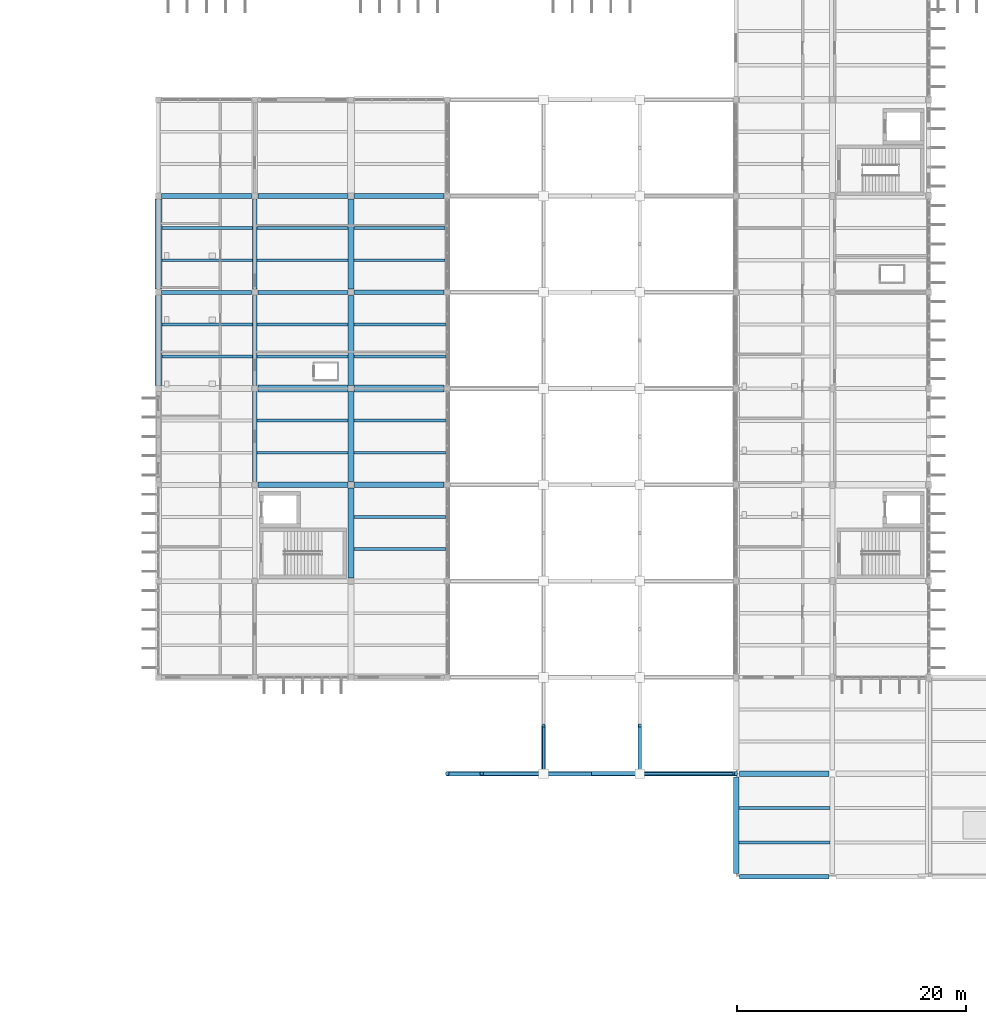
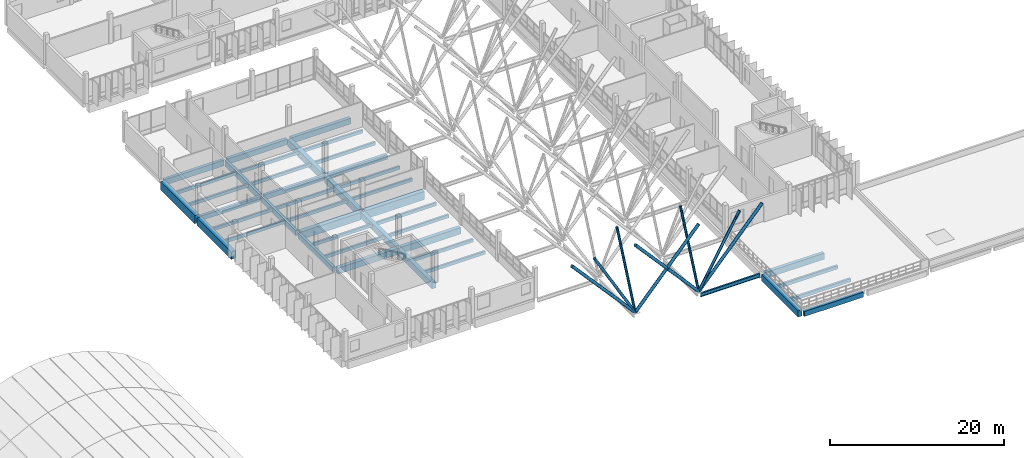
# One storey, part 6 of 107: 43 beams, 8 members.
"""IFC4 building model written with IfcOpenShell, lengths in metres."""

from ifc_helpers import new_model, si_unit, direction, frame, origin, origin_2d, place, context, subcontext, project, spatial, rectangle, hollow_circle, i_section, extrude, material, material_profile, profile_set, type_object, element, save


model = new_model("IFC4")

# Units and contexts
model_context = context("Model", 3, precision=1e-05, world=origin(), true_north=direction((0.0, 1.0)))
body_context = subcontext(model_context, "Body", "Model", "MODEL_VIEW")
ifc_project = project(units=[si_unit("LENGTHUNIT", "METRE"), si_unit("AREAUNIT", "SQUARE_METRE"), si_unit("VOLUMEUNIT", "CUBIC_METRE"), si_unit("PLANEANGLEUNIT", "RADIAN"), si_unit("MASSUNIT", "GRAM", prefix="KILO")], contexts=[model_context])

# Site, building, storey
site_placement = place(None, origin())
site = spatial("IfcSite", under=ifc_project, at=site_placement, CompositionType="ELEMENT")
building_placement = place(site_placement, origin())
building = spatial("IfcBuilding", under=site, at=building_placement, Name="Vireocrest Preparatory School", CompositionType="ELEMENT")
storey_placement = place(building_placement, frame((0.0, 0.0, 13.199951171875)))
storey = spatial("IfcBuildingStorey", under=building, at=storey_placement, Name="L03", CompositionType="ELEMENT", Elevation=13.199951171875)

# Beams
ifc_material_1 = material(Name="Structural steel ASTM A992 Grade 50", Category="steel")
ifc_material_profile_1 = material_profile(ifc_material_1, i_section(OverallWidth=0.208984375, OverallDepth=0.532958984375, WebThickness=0.01025390625, FlangeThickness=0.015625, FilletRadius=0.014892578125, at=origin_2d()), Name="W21X62")
ifc_profile_set_1 = profile_set([ifc_material_profile_1], Name="Structural steel ASTM A992 Grade 50")
beam_type_1 = type_object("IfcBeamType", Name="Court Tie Girder W21X62", PredefinedType="BEAM", material=ifc_profile_set_1)
beam_1_placement = place(storey_placement, frame((84.2236328125, 27.0, -0.56640625), z_axis=(1.0, 0.0, 0.0), x_axis=(0.0, 1.0, 0.0)))
element("IfcBeam", 1, at=beam_1_placement, inside=storey, type_object=beam_type_1, Name="Court Trunk Lateral Tie Girder SB5 E1 L03", PredefinedType="BEAM", context=body_context, shape_type="SweptSolid", body=[
    extrude(i_section(OverallWidth=0.208984375, OverallDepth=0.532958984375, WebThickness=0.01025390625, FlangeThickness=0.015625, FilletRadius=0.014892578125, at=origin_2d()), origin(), (0.0, 0.0, 1.0), 7.88134765625),
])
ifc_material_2 = material(Name="Concrete 40 MPa", Category="concrete")
ifc_material_profile_2 = material_profile(ifc_material_2, rectangle(XDim=0.5, YDim=0.949951171875, at=origin_2d()), Name="RC 500x950")
ifc_profile_set_2 = profile_set([ifc_material_profile_2], Name="Concrete 40 MPa")
beam_type_2 = type_object("IfcBeamType", Name="RC Basement Ceiling Girder 500x950", PredefinedType="BEAM", material=ifc_profile_set_2)
beam_2_placement = place(storey_placement, frame((58.800048828125, 52.47509765625, -0.71484375), z_axis=(0.0, 1.0, 0.0), x_axis=(-1.0, 0.0, 0.0)))
element("IfcBeam", 2, at=beam_2_placement, inside=storey, type_object=beam_type_2, Name="Primary Girder B16 L03-1125", PredefinedType="BEAM", context=body_context, shape_type="SweptSolid", body=[
    extrude(rectangle(XDim=0.5, YDim=0.949951171875, at=origin_2d()), origin(), (0.0, 0.0, 1.0), 7.849853515625),
])
ifc_material_profile_3 = material_profile(ifc_material_2, rectangle(XDim=0.35009765625, YDim=0.64990234375, at=origin_2d()), Name="RC 350x650")
ifc_profile_set_3 = profile_set([ifc_material_profile_3], Name="Concrete 40 MPa")
beam_type_3 = type_object("IfcBeamType", Name="RC Classroom Girder 350x650", PredefinedType="BEAM", material=ifc_profile_set_3)
beam_3_placement = place(storey_placement, frame((42.27490234375, 69.0, -0.56494140625), z_axis=(1.0, 0.0, 0.0), x_axis=(0.0, 1.0, 0.0)))
element("IfcBeam", 3, at=beam_3_placement, inside=storey, type_object=beam_type_3, Name="Primary Girder B05 L03-1065", PredefinedType="BEAM", context=body_context, shape_type="SweptSolid", body=[
    extrude(rectangle(XDim=0.35009765625, YDim=0.64990234375, at=origin_2d()), origin(), (0.0, 0.0, 1.0), 7.85009765625),
])
ifc_material_profile_4 = material_profile(ifc_material_2, rectangle(XDim=0.39990234375, YDim=0.75, at=origin_2d()), Name="RC 400x750")
ifc_profile_set_4 = profile_set([ifc_material_profile_4], Name="Concrete 40 MPa")
beam_type_4 = type_object("IfcBeamType", Name="RC Commons Girder 400x750", PredefinedType="BEAM", material=ifc_profile_set_4)
beam_4_placement = place(storey_placement, frame((50.39990234375, 60.875, -0.614990234375), z_axis=(0.0, 1.0, 0.0), x_axis=(-1.0, 0.0, 0.0)))
element("IfcBeam", 4, at=beam_4_placement, inside=storey, type_object=beam_type_4, Name="Primary Girder B09 L03-1118", PredefinedType="BEAM", context=body_context, shape_type="SweptSolid", body=[
    extrude(rectangle(XDim=0.39990234375, YDim=0.75, at=origin_2d()), origin(), (0.0, 0.0, 1.0), 7.85009765625),
])
ifc_material_profile_5 = material_profile(ifc_material_2, rectangle(XDim=0.550048828125, YDim=1.0, at=origin_2d()), Name="RC 550x1000")
ifc_profile_set_5 = profile_set([ifc_material_profile_5], Name="Concrete 40 MPa")
beam_type_5 = type_object("IfcBeamType", Name="RC Core Coupling Beam 550x1000", PredefinedType="BEAM", material=ifc_profile_set_5)
beam_5_placement = place(storey_placement, frame((58.800048828125, 69.27490234375, -0.739990234375), z_axis=(0.0, 1.0, 0.0), x_axis=(-1.0, 0.0, 0.0)))
element("IfcBeam", 5, at=beam_5_placement, inside=storey, type_object=beam_type_5, Name="Primary Girder B18 L03-1127", PredefinedType="BEAM", context=body_context, shape_type="SweptSolid", body=[
    extrude(rectangle(XDim=0.550048828125, YDim=1.0, at=origin_2d()), origin(), (0.0, 0.0, 1.0), 7.85009765625),
])
ifc_material_profile_6 = material_profile(ifc_material_2, rectangle(XDim=0.39990234375, YDim=0.699951171875, at=origin_2d()), Name="RC 400x700")
ifc_profile_set_6 = profile_set([ifc_material_profile_6], Name="Concrete 40 MPa")
beam_type_6 = type_object("IfcBeamType", Name="RC Corridor Girder 400x700", PredefinedType="BEAM", material=ifc_profile_set_6)
beam_6_placement = place(storey_placement, frame((92.699951171875, 18.0, -0.669921875), z_axis=(1.0, 0.0, 0.0), x_axis=(0.0, 1.0, 0.0)))
element("IfcBeam", 6, at=beam_6_placement, inside=storey, type_object=beam_type_6, Name="Primary Girder B08 L03-1032", PredefinedType="BEAM", context=body_context, shape_type="SweptSolid", body=[
    extrude(rectangle(XDim=0.39990234375, YDim=0.699951171875, at=origin_2d()), origin(), (0.0, 0.0, 1.0), 7.800048828125),
])
beam_7_placement = place(storey_placement, frame((50.39990234375, 52.47509765625, -0.58984375), z_axis=(0.0, 1.0, 0.0), x_axis=(-1.0, 0.0, 0.0)))
element("IfcBeam", 7, at=beam_7_placement, inside=storey, type_object=beam_type_6, Name="Primary Girder B08 L03-1117", PredefinedType="BEAM", context=body_context, shape_type="SweptSolid", body=[
    extrude(rectangle(XDim=0.39990234375, YDim=0.699951171875, at=origin_2d()), origin(), (0.0, 0.0, 1.0), 7.849853515625),
])
ifc_material_profile_7 = material_profile(ifc_material_2, rectangle(XDim=0.449951171875, YDim=0.85009765625, at=origin_2d()), Name="RC 450x850")
ifc_profile_set_7 = profile_set([ifc_material_profile_7], Name="Concrete 40 MPa")
beam_type_7 = type_object("IfcBeamType", Name="RC Heavy Floor Girder 450x850", PredefinedType="BEAM", material=ifc_profile_set_7)
beam_8_placement = place(storey_placement, frame((92.699951171875, 27.0, -0.744873046875), z_axis=(1.0, 0.0, 0.0), x_axis=(0.0, 1.0, 0.0)))
element("IfcBeam", 8, at=beam_8_placement, inside=storey, type_object=beam_type_7, Name="Primary Girder B13 L03-1037", PredefinedType="BEAM", context=body_context, shape_type="SweptSolid", body=[
    extrude(rectangle(XDim=0.449951171875, YDim=0.85009765625, at=origin_2d()), origin(), (0.0, 0.0, 1.0), 7.800048828125),
])
ifc_material_profile_8 = material_profile(ifc_material_2, rectangle(XDim=0.60009765625, YDim=1.14990234375, at=origin_2d()), Name="RC 600x1150")
ifc_profile_set_8 = profile_set([ifc_material_profile_8], Name="Concrete 40 MPa")
beam_type_8 = type_object("IfcBeamType", Name="RC Heavy Transfer Girder 600x1150", PredefinedType="BEAM", material=ifc_profile_set_8)
for number, where, z_axis, x_axis, name in (
    (9, (59.074951171875, 60.60009765625, -0.81494140625), (1.0, 0.0, 0.0), (0.0, 1.0, 0.0), "Primary Girder B20 L03-1062"),
    (10, (42.0, 69.27490234375, -0.81494140625), (0.0, 1.0, 0.0), (-1.0, 0.0, 0.0), "Primary Girder B20 L03-1111"),
):
    element("IfcBeam", number, at=place(storey_placement, frame(where, z_axis=z_axis, x_axis=x_axis)), inside=storey, type_object=beam_type_8, Name=name, PredefinedType="BEAM", context=body_context, shape_type="SweptSolid", body=[
        extrude(rectangle(XDim=0.60009765625, YDim=1.14990234375, at=origin_2d()), origin(), (0.0, 0.0, 1.0), 7.85009765625),
    ])
ifc_material_profile_9 = material_profile(ifc_material_2, rectangle(XDim=0.35009765625, YDim=0.699951171875, at=origin_2d()), Name="RC 350x700")
ifc_profile_set_9 = profile_set([ifc_material_profile_9], Name="Concrete 40 MPa")
beam_type_9 = type_object("IfcBeamType", Name="RC Laboratory Girder 350x700", PredefinedType="BEAM", material=ifc_profile_set_9)
beam_9_placement = place(storey_placement, frame((50.675048828125, 69.0, -0.58984375), z_axis=(1.0, 0.0, 0.0), x_axis=(0.0, 1.0, 0.0)))
element("IfcBeam", 11, at=beam_9_placement, inside=storey, type_object=beam_type_9, Name="Primary Girder B06 L03-1066", PredefinedType="BEAM", context=body_context, shape_type="SweptSolid", body=[
    extrude(rectangle(XDim=0.35009765625, YDim=0.699951171875, at=origin_2d()), origin(), (0.0, 0.0, 1.0), 7.849853515625),
])
ifc_material_profile_10 = material_profile(ifc_material_2, rectangle(XDim=0.39990234375, YDim=0.64990234375, at=origin_2d()), Name="RC 400x650")
ifc_profile_set_10 = profile_set([ifc_material_profile_10], Name="Concrete 40 MPa")
beam_type_10 = type_object("IfcBeamType", Name="RC Laboratory Girder 400x650", PredefinedType="BEAM", material=ifc_profile_set_10)
beam_10_placement = place(storey_placement, frame((59.074951171875, 69.0, -0.56494140625), z_axis=(1.0, 0.0, 0.0), x_axis=(0.0, 1.0, 0.0)))
element("IfcBeam", 12, at=beam_10_placement, inside=storey, type_object=beam_type_10, Name="Primary Girder B07 L03-1067", PredefinedType="BEAM", context=body_context, shape_type="SweptSolid", body=[
    extrude(rectangle(XDim=0.39990234375, YDim=0.64990234375, at=origin_2d()), origin(), (0.0, 0.0, 1.0), 7.85009765625),
])
ifc_material_profile_11 = material_profile(ifc_material_2, rectangle(XDim=0.39990234375, YDim=0.800048828125, at=origin_2d()), Name="RC 400x800")
ifc_profile_set_11 = profile_set([ifc_material_profile_11], Name="Concrete 40 MPa")
beam_type_11 = type_object("IfcBeamType", Name="RC Library Reading Girder 400x800", PredefinedType="BEAM", material=ifc_profile_set_11)
for number, where, z_axis, x_axis, name in (
    (13, (42.27490234375, 77.39990234375, -0.639892578125), (1.0, 0.0, 0.0), (0.0, 1.0, 0.0), "Primary Girder B10 L03-1070"),
    (14, (50.39990234375, 69.27490234375, -0.639892578125), (0.0, 1.0, 0.0), (-1.0, 0.0, 0.0), "Primary Girder B10 L03-1119"),
):
    element("IfcBeam", number, at=place(storey_placement, frame(where, z_axis=z_axis, x_axis=x_axis)), inside=storey, type_object=beam_type_11, Name=name, PredefinedType="BEAM", context=body_context, shape_type="SweptSolid", body=[
        extrude(rectangle(XDim=0.39990234375, YDim=0.800048828125, at=origin_2d()), origin(), (0.0, 0.0, 1.0), 7.85009765625),
    ])
ifc_material_profile_12 = material_profile(ifc_material_2, rectangle(XDim=0.449951171875, YDim=0.75, at=origin_2d()), Name="RC 450x750")
ifc_profile_set_12 = profile_set([ifc_material_profile_12], Name="Concrete 40 MPa")
beam_type_12 = type_object("IfcBeamType", Name="RC Library Stack Girder 450x750", PredefinedType="BEAM", material=ifc_profile_set_12)
beam_11_placement = place(storey_placement, frame((50.675048828125, 77.39990234375, -0.614990234375), z_axis=(1.0, 0.0, 0.0), x_axis=(0.0, 1.0, 0.0)))
element("IfcBeam", 15, at=beam_11_placement, inside=storey, type_object=beam_type_12, Name="Primary Girder B11 L03-1071", PredefinedType="BEAM", context=body_context, shape_type="SweptSolid", body=[
    extrude(rectangle(XDim=0.449951171875, YDim=0.75, at=origin_2d()), origin(), (0.0, 0.0, 1.0), 7.849853515625),
])
ifc_material_profile_13 = material_profile(ifc_material_2, rectangle(XDim=0.449951171875, YDim=0.800048828125, at=origin_2d()), Name="RC 450x800")
ifc_profile_set_13 = profile_set([ifc_material_profile_13], Name="Concrete 40 MPa")
beam_type_13 = type_object("IfcBeamType", Name="RC Library Stack Girder 450x800", PredefinedType="BEAM", material=ifc_profile_set_13)
beam_12_placement = place(storey_placement, frame((59.074951171875, 77.39990234375, -0.639892578125), z_axis=(1.0, 0.0, 0.0), x_axis=(0.0, 1.0, 0.0)))
element("IfcBeam", 16, at=beam_12_placement, inside=storey, type_object=beam_type_13, Name="Primary Girder B12 L03-1072", PredefinedType="BEAM", context=body_context, shape_type="SweptSolid", body=[
    extrude(rectangle(XDim=0.449951171875, YDim=0.800048828125, at=origin_2d()), origin(), (0.0, 0.0, 1.0), 7.85009765625),
])
ifc_material_profile_14 = material_profile(ifc_material_2, rectangle(XDim=0.5, YDim=0.85009765625, at=origin_2d()), Name="RC 500x850")
ifc_profile_set_14 = profile_set([ifc_material_profile_14], Name="Concrete 40 MPa")
beam_type_14 = type_object("IfcBeamType", Name="RC Podium Girder 500x850", PredefinedType="BEAM", material=ifc_profile_set_14)
beam_13_placement = place(storey_placement, frame((50.675048828125, 52.199951171875, -0.6650390625), z_axis=(1.0, 0.0, 0.0), x_axis=(0.0, 1.0, 0.0)))
element("IfcBeam", 17, at=beam_13_placement, inside=storey, type_object=beam_type_14, Name="Primary Girder B14 L03-1056", PredefinedType="BEAM", context=body_context, shape_type="SweptSolid", body=[
    extrude(rectangle(XDim=0.5, YDim=0.85009765625, at=origin_2d()), origin(), (0.0, 0.0, 1.0), 7.849853515625),
])
ifc_material_profile_15 = material_profile(ifc_material_2, rectangle(XDim=0.5, YDim=0.89990234375, at=origin_2d()), Name="RC 500x900")
ifc_profile_set_15 = profile_set([ifc_material_profile_15], Name="Concrete 40 MPa")
beam_type_15 = type_object("IfcBeamType", Name="RC Podium Girder 500x900", PredefinedType="BEAM", material=ifc_profile_set_15)
for number, where, z_axis, x_axis, name in (
    (18, (59.074951171875, 52.199951171875, -0.68994140625), (1.0, 0.0, 0.0), (0.0, 1.0, 0.0), "Primary Girder B15 L03-1057"),
    (19, (58.800048828125, 44.074951171875, -0.68994140625), (0.0, 1.0, 0.0), (-1.0, 0.0, 0.0), "Primary Girder B15 L03-1124"),
):
    element("IfcBeam", number, at=place(storey_placement, frame(where, z_axis=z_axis, x_axis=x_axis)), inside=storey, type_object=beam_type_15, Name=name, PredefinedType="BEAM", context=body_context, shape_type="SweptSolid", body=[
        extrude(rectangle(XDim=0.5, YDim=0.89990234375, at=origin_2d()), origin(), (0.0, 0.0, 1.0), 7.85009765625),
    ])
beam_14_placement = place(storey_placement, frame((92.39990234375, 18.300048828125, -0.77001953125), z_axis=(0.0, 1.0, 0.0), x_axis=(-1.0, 0.0, 0.0)))
element("IfcBeam", 20, at=beam_14_placement, inside=storey, type_object=beam_type_15, Name="Primary Girder B15 L03-1142", PredefinedType="BEAM", context=body_context, shape_type="SweptSolid", body=[
    extrude(rectangle(XDim=0.5, YDim=0.89990234375, at=origin_2d()), origin(), (0.0, 0.0, 1.0), 8.39990234375),
])
ifc_material_profile_16 = material_profile(ifc_material_2, rectangle(XDim=0.25, YDim=0.449951171875, at=origin_2d()), Name="RC 250x450")
ifc_profile_set_16 = profile_set([ifc_material_profile_16], Name="Concrete 40 MPa")
beam_type_16 = type_object("IfcBeamType", Name="RC Secondary Floor Joist 250x450", PredefinedType="JOIST", material=ifc_profile_set_16)
for number, where, z_axis, x_axis, name in (
    (21, (42.300048828125, 63.39990234375, -0.46484375), (1.0, 0.0, 0.0), (0.0, 1.0, 0.0), "Secondary Joist J01 L03-1189"),
    (22, (42.300048828125, 66.199951171875, -0.46484375), (1.0, 0.0, 0.0), (0.0, 1.0, 0.0), "Secondary Joist J01 L03-1190"),
    (23, (42.300048828125, 71.800048828125, -0.46484375), (1.0, 0.0, 0.0), (0.0, 1.0, 0.0), "Secondary Joist J01 L03-1191"),
    (24, (42.300048828125, 74.60009765625, -0.46484375), (1.0, 0.0, 0.0), (0.0, 1.0, 0.0), "Secondary Joist J01 L03-1192"),
):
    element("IfcBeam", number, at=place(storey_placement, frame(where, z_axis=z_axis, x_axis=x_axis)), inside=storey, type_object=beam_type_16, Name=name, PredefinedType="JOIST", context=body_context, shape_type="SweptSolid", body=[
        extrude(rectangle(XDim=0.25, YDim=0.449951171875, at=origin_2d()), origin(), (0.0, 0.0, 1.0), 7.89990234375),
    ])
for number, where, z_axis, x_axis, name in (
    (25, (50.60009765625, 55.0, -0.46484375), (1.0, 0.0, 0.0), (0.0, 1.0, 0.0), "Secondary Joist J01 L03-1201"),
    (26, (50.60009765625, 57.800048828125, -0.46484375), (1.0, 0.0, 0.0), (0.0, 1.0, 0.0), "Secondary Joist J01 L03-1202"),
):
    element("IfcBeam", number, at=place(storey_placement, frame(where, z_axis=z_axis, x_axis=x_axis)), inside=storey, type_object=beam_type_16, Name=name, PredefinedType="JOIST", context=body_context, shape_type="SweptSolid", body=[
        extrude(rectangle(XDim=0.25, YDim=0.449951171875, at=origin_2d()), origin(), (0.0, 0.0, 1.0), 7.949951171875),
    ])
for number, where, z_axis, x_axis, name in (
    (27, (50.60009765625, 63.39990234375, -0.46484375), (1.0, 0.0, 0.0), (0.0, 1.0, 0.0), "Secondary Joist J01 L03-1203"),
    (28, (50.60009765625, 66.199951171875, -0.46484375), (1.0, 0.0, 0.0), (0.0, 1.0, 0.0), "Secondary Joist J01 L03-1204"),
    (29, (50.60009765625, 71.800048828125, -0.46484375), (1.0, 0.0, 0.0), (0.0, 1.0, 0.0), "Secondary Joist J01 L03-1205"),
    (30, (50.60009765625, 74.60009765625, -0.46484375), (1.0, 0.0, 0.0), (0.0, 1.0, 0.0), "Secondary Joist J01 L03-1206"),
):
    element("IfcBeam", number, at=place(storey_placement, frame(where, z_axis=z_axis, x_axis=x_axis)), inside=storey, type_object=beam_type_16, Name=name, PredefinedType="JOIST", context=body_context, shape_type="SweptSolid", body=[
        extrude(rectangle(XDim=0.25, YDim=0.449951171875, at=origin_2d()), origin(), (0.0, 0.0, 1.0), 7.9248046875),
    ])
for number, where, z_axis, x_axis, name in (
    (31, (59.050048828125, 46.60009765625, -0.46484375), (1.0, 0.0, 0.0), (0.0, 1.0, 0.0), "Secondary Joist J01 L03-1213"),
    (32, (59.050048828125, 49.39990234375, -0.46484375), (1.0, 0.0, 0.0), (0.0, 1.0, 0.0), "Secondary Joist J01 L03-1214"),
    (33, (59.050048828125, 55.0, -0.46484375), (1.0, 0.0, 0.0), (0.0, 1.0, 0.0), "Secondary Joist J01 L03-1215"),
    (34, (59.050048828125, 57.800048828125, -0.46484375), (1.0, 0.0, 0.0), (0.0, 1.0, 0.0), "Secondary Joist J01 L03-1216"),
):
    element("IfcBeam", number, at=place(storey_placement, frame(where, z_axis=z_axis, x_axis=x_axis)), inside=storey, type_object=beam_type_16, Name=name, PredefinedType="JOIST", context=body_context, shape_type="SweptSolid", body=[
        extrude(rectangle(XDim=0.25, YDim=0.449951171875, at=origin_2d()), origin(), (0.0, 0.0, 1.0), 7.974853515625),
    ])
for number, where, z_axis, x_axis, name in (
    (35, (59.074951171875, 63.39990234375, -0.46484375), (1.0, 0.0, 0.0), (0.0, 1.0, 0.0), "Secondary Joist J01 L03-1217"),
    (36, (59.074951171875, 66.199951171875, -0.46484375), (1.0, 0.0, 0.0), (0.0, 1.0, 0.0), "Secondary Joist J01 L03-1218"),
):
    element("IfcBeam", number, at=place(storey_placement, frame(where, z_axis=z_axis, x_axis=x_axis)), inside=storey, type_object=beam_type_16, Name=name, PredefinedType="JOIST", context=body_context, shape_type="SweptSolid", body=[
        extrude(rectangle(XDim=0.25, YDim=0.449951171875, at=origin_2d()), origin(), (0.0, 0.0, 1.0), 7.949951171875),
    ])
for number, where, z_axis, x_axis, name in (
    (37, (59.074951171875, 71.800048828125, -0.46484375), (1.0, 0.0, 0.0), (0.0, 1.0, 0.0), "Secondary Joist J01 L03-1219"),
    (38, (59.074951171875, 74.60009765625, -0.46484375), (1.0, 0.0, 0.0), (0.0, 1.0, 0.0), "Secondary Joist J01 L03-1220"),
):
    element("IfcBeam", number, at=place(storey_placement, frame(where, z_axis=z_axis, x_axis=x_axis)), inside=storey, type_object=beam_type_16, Name=name, PredefinedType="JOIST", context=body_context, shape_type="SweptSolid", body=[
        extrude(rectangle(XDim=0.25, YDim=0.449951171875, at=origin_2d()), origin(), (0.0, 0.0, 1.0), 7.925048828125),
    ])
ifc_material_profile_17 = material_profile(ifc_material_2, rectangle(XDim=0.280029296875, YDim=0.47998046875, at=origin_2d()), Name="RC 280x480")
ifc_profile_set_17 = profile_set([ifc_material_profile_17], Name="Concrete 40 MPa")
beam_type_17 = type_object("IfcBeamType", Name="RC Secondary Lab Joist 280x480", PredefinedType="JOIST", material=ifc_profile_set_17)
for number, where, z_axis, x_axis, name in (
    (39, (92.64990234375, 21.0, -0.56005859375), (1.0, 0.0, 0.0), (0.0, 1.0, 0.0), "Secondary Joist J02 L03-1237"),
    (40, (92.64990234375, 24.0, -0.56005859375), (1.0, 0.0, 0.0), (0.0, 1.0, 0.0), "Secondary Joist J02 L03-1238"),
):
    element("IfcBeam", number, at=place(storey_placement, frame(where, z_axis=z_axis, x_axis=x_axis)), inside=storey, type_object=beam_type_17, Name=name, PredefinedType="JOIST", context=body_context, shape_type="SweptSolid", body=[
        extrude(rectangle(XDim=0.280029296875, YDim=0.47998046875, at=origin_2d()), origin(), (0.0, 0.0, 1.0), 7.9501953125),
    ])
ifc_material_profile_18 = material_profile(ifc_material_2, rectangle(XDim=0.550048828125, YDim=0.949951171875, at=origin_2d()), Name="RC 550x950")
ifc_profile_set_18 = profile_set([ifc_material_profile_18], Name="Concrete 40 MPa")
beam_type_18 = type_object("IfcBeamType", Name="RC Setback Edge Girder 550x950", PredefinedType="BEAM", material=ifc_profile_set_18)
beam_15_placement = place(storey_placement, frame((58.800048828125, 60.875, -0.71484375), z_axis=(0.0, 1.0, 0.0), x_axis=(-1.0, 0.0, 0.0)))
element("IfcBeam", 41, at=beam_15_placement, inside=storey, type_object=beam_type_18, Name="Primary Girder B17 L03-1126", PredefinedType="BEAM", context=body_context, shape_type="SweptSolid", body=[
    extrude(rectangle(XDim=0.550048828125, YDim=0.949951171875, at=origin_2d()), origin(), (0.0, 0.0, 1.0), 7.85009765625),
])
ifc_material_profile_19 = material_profile(ifc_material_2, rectangle(XDim=0.60009765625, YDim=1.050048828125, at=origin_2d()), Name="RC 600x1050")
ifc_profile_set_19 = profile_set([ifc_material_profile_19], Name="Concrete 40 MPa")
beam_type_19 = type_object("IfcBeamType", Name="RC Transfer Girder 600x1050", PredefinedType="BEAM", material=ifc_profile_set_19)
beam_16_placement = place(storey_placement, frame((50.675048828125, 60.60009765625, -0.764892578125), z_axis=(1.0, 0.0, 0.0), x_axis=(0.0, 1.0, 0.0)))
element("IfcBeam", 42, at=beam_16_placement, inside=storey, type_object=beam_type_19, Name="Primary Girder B19 L03-1061", PredefinedType="BEAM", context=body_context, shape_type="SweptSolid", body=[
    extrude(rectangle(XDim=0.60009765625, YDim=1.050048828125, at=origin_2d()), origin(), (0.0, 0.0, 1.0), 7.849853515625),
])
beam_17_placement = place(storey_placement, frame((42.0, 60.875, -0.764892578125), z_axis=(0.0, 1.0, 0.0), x_axis=(-1.0, 0.0, 0.0)))
element("IfcBeam", 43, at=beam_17_placement, inside=storey, type_object=beam_type_19, Name="Primary Girder B19 L03-1110", PredefinedType="BEAM", context=body_context, shape_type="SweptSolid", body=[
    extrude(rectangle(XDim=0.60009765625, YDim=1.050048828125, at=origin_2d()), origin(), (0.0, 0.0, 1.0), 7.85009765625),
])

# Members
ifc_material_3 = material(Name="Painted white steel ASTM A500 Grade C", Category="steel")
ifc_material_profile_20 = material_profile(ifc_material_3, hollow_circle(Radius=0.161865234375, WallThickness=0.0126953125, at=origin_2d()), Name="HSS12.750X0.500")
ifc_profile_set_20 = profile_set([ifc_material_profile_20], Name="Painted white steel ASTM A500 Grade C")
member_type_1 = type_object("IfcMemberType", Name="White Steel Canopy Tie Strut HSS12.750X0.500", PredefinedType="USERDEFINED", material=ifc_profile_set_20)
for number, where, z_axis, x_axis, name in (
    (44, (75.60009765625, 27.0, -0.0048828125), (0.0, 0.407216567456, 0.913331630455), (-1.0, 0.0, 0.0), "Longitudinal V-Strut VS2 W1-N"),
    (45, (84.0, 27.0, -0.0048828125), (0.0, 0.407216567456, 0.913331630455), (-1.0, 0.0, 0.0), "Longitudinal V-Strut VS2 E1-N"),
):
    element("IfcMember", number, at=place(storey_placement, frame(where, z_axis=z_axis, x_axis=x_axis)), inside=storey, type_object=member_type_1, Name=name, ObjectType="STRUT", PredefinedType="USERDEFINED", context=body_context, shape_type="SweptSolid", body=[
        extrude(hollow_circle(Radius=0.161865234375, WallThickness=0.0126953125, at=origin_2d()), origin(), (0.0, 0.0, 1.0), 10.313720703125),
    ])
ifc_material_profile_21 = material_profile(ifc_material_3, hollow_circle(Radius=0.177734375, WallThickness=0.0126953125, at=origin_2d()), Name="HSS14.000X0.500")
ifc_profile_set_21 = profile_set([ifc_material_profile_21], Name="Painted white steel ASTM A500 Grade C")
member_type_2 = type_object("IfcMemberType", Name="White Steel Canopy V-Strut HSS14.000X0.500", PredefinedType="USERDEFINED", material=ifc_profile_set_21)
member_1_placement = place(storey_placement, frame((75.60009765625, 27.0, -0.010009765625), z_axis=(-0.496934732374, 0.0, 0.867787918653), x_axis=(0.0, -1.0, 0.0)))
element("IfcMember", 46, at=member_1_placement, inside=storey, type_object=member_type_2, Name="White Steel V-Strut VS1 W1", ObjectType="STRUT", PredefinedType="USERDEFINED", context=body_context, shape_type="SweptSolid", body=[
    extrude(hollow_circle(Radius=0.177734375, WallThickness=0.0126953125, at=origin_2d()), origin(), (0.0, 0.0, 1.0), 10.866943359375),
])
member_2_placement = place(storey_placement, frame((84.0, 27.0, -0.010009765625), z_axis=(0.496917813622, 0.0, 0.867797606879), x_axis=(0.0, 1.0, 0.0)))
element("IfcMember", 47, at=member_2_placement, inside=storey, type_object=member_type_2, Name="White Steel V-Strut VS1 E1", ObjectType="STRUT", PredefinedType="USERDEFINED", context=body_context, shape_type="SweptSolid", body=[
    extrude(hollow_circle(Radius=0.177734375, WallThickness=0.0126953125, at=origin_2d()), origin(), (0.0, 0.0, 1.0), 10.86669921875),
])
ifc_material_profile_22 = material_profile(ifc_material_3, hollow_circle(Radius=0.203125, WallThickness=0.0126953125, at=origin_2d()), Name="HSS16.000X0.500")
ifc_profile_set_22 = profile_set([ifc_material_profile_22], Name="Painted white steel ASTM A500 Grade C")
member_type_3 = type_object("IfcMemberType", Name="White Steel V-Column Branch HSS16.000X0.500", PredefinedType="USERDEFINED", material=ifc_profile_set_22)
for number, where, z_axis, x_axis, name in (
    (48, (75.60009765625, 27.0, -0.010009765625), (-0.665149409377, 0.0, 0.746710294027), (0.0, -1.0, 0.0), "White Steel V-Column Branch VC3 W1-A1"),
    (49, (75.60009765625, 27.0, -0.010009765625), (0.665138630213, 0.0, 0.746719895676), (0.0, 1.0, 0.0), "White Steel V-Column Branch VC3 W1-A2"),
    (50, (84.0, 27.0, -0.010009765625), (-0.665138630213, 0.0, 0.746719895676), (0.0, -1.0, 0.0), "White Steel V-Column Branch VC3 E1-A1"),
    (51, (84.0, 27.0, -0.010009765625), (0.665138630213, 0.0, 0.746719895676), (0.0, 1.0, 0.0), "White Steel V-Column Branch VC3 E1-A2"),
):
    element("IfcMember", number, at=place(storey_placement, frame(where, z_axis=z_axis, x_axis=x_axis)), inside=storey, type_object=member_type_3, Name=name, ObjectType="STRUT", PredefinedType="USERDEFINED", context=body_context, shape_type="SweptSolid", body=[
        extrude(hollow_circle(Radius=0.203125, WallThickness=0.0126953125, at=origin_2d()), origin(), (0.0, 0.0, 1.0), 12.62890625),
    ])

save(model, "model.ifc")
